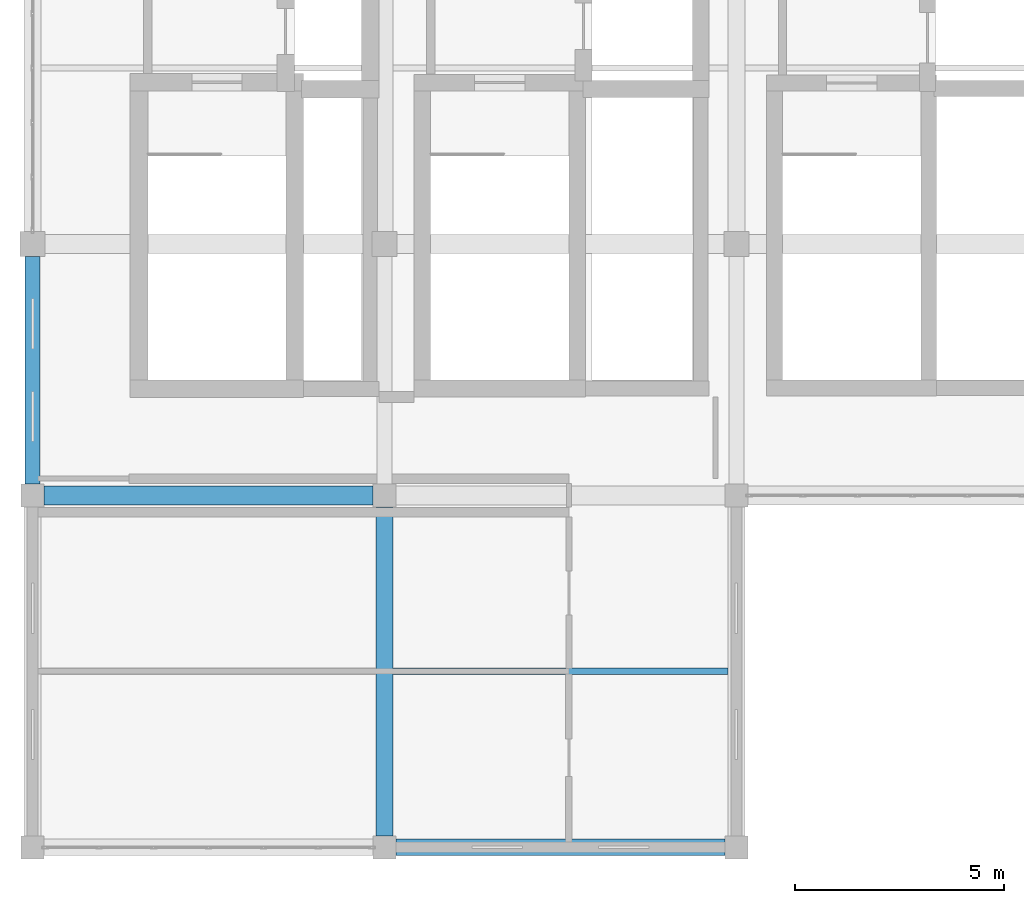
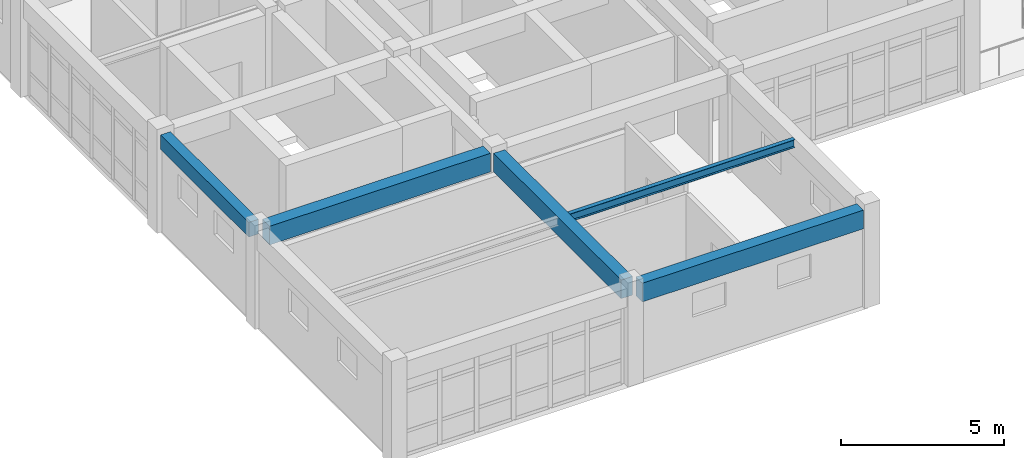
# One storey, part 3 of 17: 5 beams.
"""IFC4 building model written with IfcOpenShell, lengths in metres."""

from ifc_helpers import new_model, si_unit, direction, frame, origin, origin_2d, place, context, subcontext, project, spatial, rectangle, i_section, extrude, material, material_profile, profile_set, type_object, element, save


model = new_model("IFC4")

# Units and contexts
model_context = context("Model", 3, precision=1e-05, world=origin(), true_north=direction((0.0, 1.0)))
body_context = subcontext(model_context, "Body", "Model", "MODEL_VIEW")
ifc_project = project(units=[si_unit("LENGTHUNIT", "METRE"), si_unit("AREAUNIT", "SQUARE_METRE"), si_unit("VOLUMEUNIT", "CUBIC_METRE"), si_unit("PLANEANGLEUNIT", "RADIAN"), si_unit("MASSUNIT", "GRAM", prefix="KILO")], contexts=[model_context])

# Site, building, storey
site_placement = place(None, origin())
site = spatial("IfcSite", under=ifc_project, at=site_placement, CompositionType="ELEMENT")
building_placement = place(site_placement, origin())
building = spatial("IfcBuilding", under=site, at=building_placement, Name="Krzemoval Escarpment Law Courts", CompositionType="ELEMENT")
storey_placement = place(building_placement, frame((0.0, 0.0, 42.0)))
storey = spatial("IfcBuildingStorey", under=building, at=storey_placement, Name="L09", CompositionType="ELEMENT", Elevation=42.0)

# Beams
ifc_material_1 = material(Name="Concrete C40/50", Category="concrete")
ifc_material_profile_1 = material_profile(ifc_material_1, rectangle(XDim=0.35009765625, YDim=0.550048828125, at=origin_2d()), Name="RCB 350x550")
ifc_profile_set_1 = profile_set([ifc_material_profile_1], Name="Concrete C40/50")
beam_type_1 = type_object("IfcBeamType", Name="BM-RC-350x550", PredefinedType="BEAM", material=ifc_profile_set_1)
beam_1_placement = place(storey_placement, frame((126.0, 93.875, 3.385009765625), z_axis=(0.0, 1.0, 0.0), x_axis=(-1.0, 0.0, 0.0)))
element("IfcBeam", 1, at=beam_1_placement, inside=storey, type_object=beam_type_1, Name="Beam FG-L09-2802", PredefinedType="BEAM", context=body_context, shape_type="SweptSolid", body=[
    extrude(rectangle(XDim=0.35009765625, YDim=0.550048828125, at=origin_2d()), origin(), (0.0, 0.0, 1.0), 5.425048828125),
])
ifc_material_2 = material(Name="Concrete C40/50", Category="concrete")
ifc_material_profile_2 = material_profile(ifc_material_2, rectangle(XDim=0.39990234375, YDim=0.699951171875, at=origin_2d()), Name="RCB 400x700")
ifc_profile_set_2 = profile_set([ifc_material_profile_2], Name="Concrete C40/50")
beam_type_2 = type_object("IfcBeamType", Name="BM-RC-400x700", PredefinedType="BEAM", material=ifc_profile_set_2)
for number, where, z_axis, x_axis, name in (
    (2, (134.675048828125, 85.199951171875, 3.31005859375), (1.0, 0.0, 0.0), (0.0, 1.0, 0.0), "Beam FG-L09-2785"),
    (3, (134.39990234375, 85.47509765625, 3.31005859375), (0.0, 1.0, 0.0), (-1.0, 0.0, 0.0), "Beam FG-L09-2806"),
):
    element("IfcBeam", number, at=place(storey_placement, frame(where, z_axis=z_axis, x_axis=x_axis)), inside=storey, type_object=beam_type_2, Name=name, PredefinedType="BEAM", context=body_context, shape_type="SweptSolid", body=[
        extrude(rectangle(XDim=0.39990234375, YDim=0.699951171875, at=origin_2d()), origin(), (0.0, 0.0, 1.0), 7.849853515625),
    ])
ifc_material_3 = material(Name="Concrete C40/50", Category="concrete")
ifc_material_profile_3 = material_profile(ifc_material_3, rectangle(XDim=0.449951171875, YDim=0.699951171875, at=origin_2d()), Name="RCB 450x700")
ifc_profile_set_3 = profile_set([ifc_material_profile_3], Name="Concrete C40/50")
beam_type_3 = type_object("IfcBeamType", Name="BM-RC-450x700", PredefinedType="BEAM", material=ifc_profile_set_3)
beam_2_placement = place(storey_placement, frame((126.27490234375, 93.60009765625, 3.31005859375), z_axis=(1.0, 0.0, 0.0), x_axis=(0.0, 1.0, 0.0)))
element("IfcBeam", 4, at=beam_2_placement, inside=storey, type_object=beam_type_3, Name="Beam FG-L09-2786", PredefinedType="BEAM", context=body_context, shape_type="SweptSolid", body=[
    extrude(rectangle(XDim=0.449951171875, YDim=0.699951171875, at=origin_2d()), origin(), (0.0, 0.0, 1.0), 7.85009765625),
])
ifc_material_4 = material(Name="Steel S355", Category="steel")
ifc_material_profile_4 = material_profile(ifc_material_4, i_section(OverallWidth=0.14990234375, OverallDepth=0.300048828125, WebThickness=0.007080078125, FlangeThickness=0.0107421875, at=origin_2d()), Name="IPE 300")
ifc_profile_set_4 = profile_set([ifc_material_profile_4], Name="Steel S355")
beam_type_4 = type_object("IfcBeamType", Name="JST-S355-IPE300", PredefinedType="JOIST", material=ifc_profile_set_4)
beam_3_placement = place(storey_placement, frame((134.60009765625, 89.39990234375, 3.510009765625), z_axis=(1.0, 0.0, 0.0), x_axis=(0.0, 1.0, 0.0)))
element("IfcBeam", 5, at=beam_3_placement, inside=storey, type_object=beam_type_4, Name="Secondary Joist FJ-L09-2822", PredefinedType="JOIST", context=body_context, shape_type="SweptSolid", body=[
    extrude(i_section(OverallWidth=0.14990234375, OverallDepth=0.300048828125, WebThickness=0.007080078125, FlangeThickness=0.0107421875, at=origin_2d()), origin(), (0.0, 0.0, 1.0), 8.0),
])

save(model, "model.ifc")
